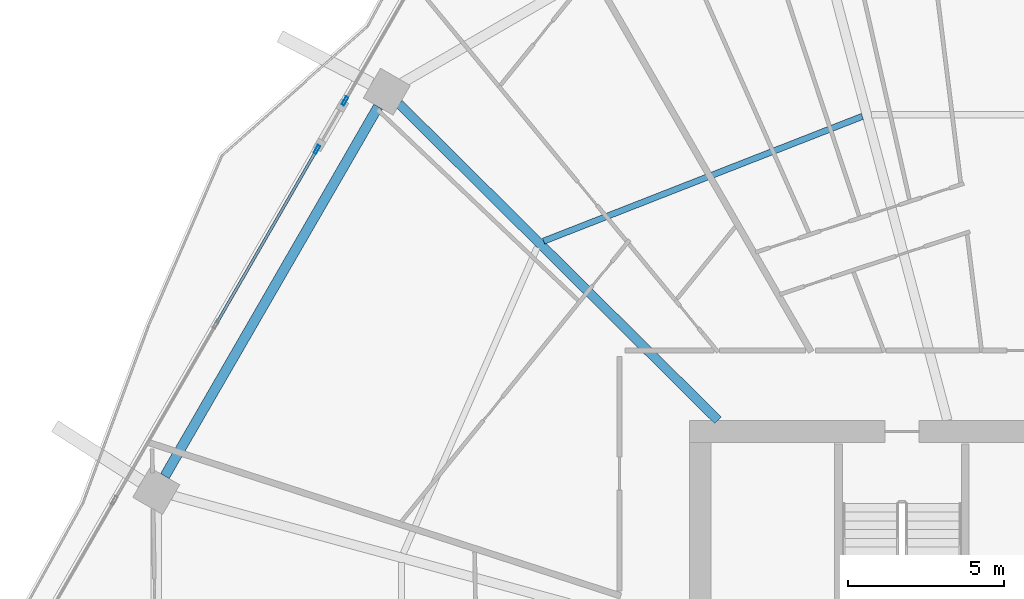
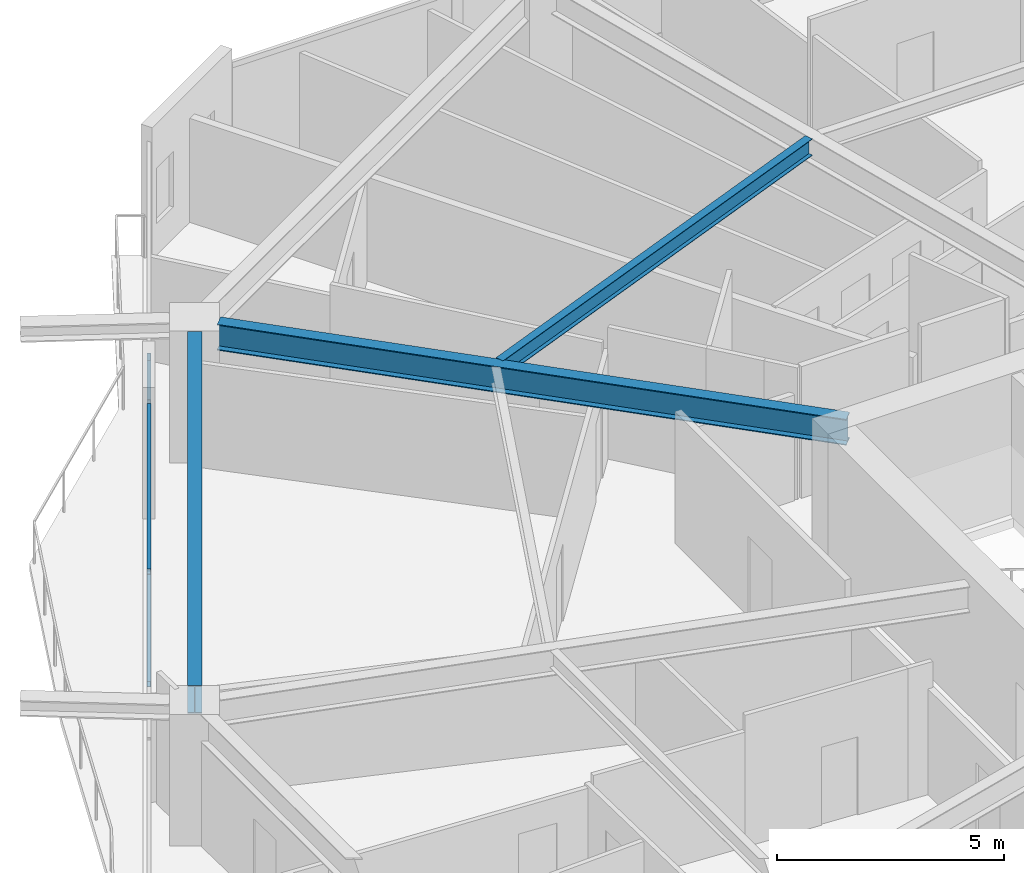
# One storey, part 14 of 33: 4 members, 3 beams, 2 elements without a shape of their own.
"""IFC4 building model written with IfcOpenShell, lengths in metres."""

from ifc_helpers import new_model, si_unit, direction, frame, origin, origin_2d, place, context, subcontext, project, spatial, hollow_rectangle, i_section, extrude, material, material_profile, profile_set, type_object, element, aggregate, save


model = new_model("IFC4")

# Units and contexts
model_context = context("Model", 3, precision=1e-05, world=origin(), true_north=direction((0.0, 1.0)))
body_context = subcontext(model_context, "Body", "Model", "MODEL_VIEW")
ifc_project = project(units=[si_unit("LENGTHUNIT", "METRE"), si_unit("AREAUNIT", "SQUARE_METRE"), si_unit("VOLUMEUNIT", "CUBIC_METRE"), si_unit("PLANEANGLEUNIT", "RADIAN"), si_unit("MASSUNIT", "GRAM", prefix="KILO")], contexts=[model_context])

# Site, building, storey
site_placement = place(None, origin())
site = spatial("IfcSite", under=ifc_project, at=site_placement, CompositionType="ELEMENT")
building_placement = place(site_placement, origin())
building = spatial("IfcBuilding", under=site, at=building_placement, Name="Zuhravey Tower", CompositionType="ELEMENT")
storey_placement = place(building_placement, frame((0.0, 0.0, 96.199951171875)))
storey = spatial("IfcBuildingStorey", under=building, at=storey_placement, Name="L23", CompositionType="ELEMENT", Elevation=96.199951171875)

# Curtain wall, member
ifc_material_1 = material(Name="Thermally broken anodised aluminium", Category="aluminium")
curtain_wall_type = type_object("IfcCurtainWallType", Name="Zone 1-2 Residential Curtain Wall CW3", PredefinedType="NOTDEFINED", material=ifc_material_1)
curtain_wall_1_placement = place(storey_placement, origin())
curtain_wall_1 = element("IfcCurtainWall", 1, at=curtain_wall_1_placement, inside=storey, type_object=curtain_wall_type, Name="L23 CW3 CW-L23-F3-1", PredefinedType="NOTDEFINED")
ifc_material_2 = material(Name="Anodised aluminium", Category="aluminium")
ifc_material_profile_1 = material_profile(ifc_material_2, hollow_rectangle(XDim=0.090087890625, YDim=0.284912109375, WallThickness=0.0048828125, at=origin_2d()), Name="ALU-RHS-90x285x5")
ifc_profile_set_1 = profile_set([ifc_material_profile_1], Name="Anodised aluminium")
member_type_1 = type_object("IfcMemberType", Name="Curtain-Wall Mullion 90x180", PredefinedType="MULLION", material=ifc_profile_set_1)
member_1_placement = place(storey_placement, frame((13.248779296875, 50.5107421875, 0.0), z_axis=(0.0, 0.0, 1.0), x_axis=(-0.866025119566, 0.50000049228, 0.0)))
member_1 = element("IfcMember", 2, at=member_1_placement, type_object=member_type_1, Name="CW3 mullion 4", PredefinedType="MULLION", context=body_context, shape_type="SweptSolid", body=[
    extrude(hollow_rectangle(XDim=0.090087890625, YDim=0.284912109375, WallThickness=0.0048828125, at=origin_2d()), origin(), (0.0, 0.0, 1.0), 3.1220703125),
])

curtain_wall_2_placement = place(storey_placement, origin())
curtain_wall_2 = element("IfcCurtainWall", 3, at=curtain_wall_2_placement, inside=storey, type_object=curtain_wall_type, Name="L23 CW3 CW-L23-F3-2", PredefinedType="NOTDEFINED")
member_2_placement = place(storey_placement, frame((14.143798828125, 52.06103515625, 0.0), z_axis=(0.0, 0.0, 1.0), x_axis=(-0.866024791479, 0.500001060543, 0.0)))
member_2 = element("IfcMember", 4, at=member_2_placement, type_object=member_type_1, Name="CW3 mullion 1", PredefinedType="MULLION", context=body_context, shape_type="SweptSolid", body=[
    extrude(hollow_rectangle(XDim=0.090087890625, YDim=0.284912109375, WallThickness=0.0048828125, at=origin_2d()), origin(), (0.0, 0.0, 1.0), 3.1220703125),
])
aggregate(curtain_wall_2, [member_2])

# Member
ifc_material_profile_2 = material_profile(ifc_material_2, hollow_rectangle(XDim=0.090087890625, YDim=0.14990234375, WallThickness=0.0048828125, at=origin_2d()), Name="ALU-RHS-90x150x5")
ifc_profile_set_2 = profile_set([ifc_material_profile_2], Name="Anodised aluminium")
member_type_2 = type_object("IfcMemberType", Name="Curtain-Wall Transom 90x150", PredefinedType="USERDEFINED", material=ifc_profile_set_2)
member_3_placement = place(storey_placement, frame((10.0439453125, 44.959716796875, 0.045166015625), z_axis=(0.499988079127, 0.866032286194, 0.0), x_axis=(-0.866032286194, 0.499988079127, 0.0)))
member_3 = element("IfcMember", 5, at=member_3_placement, type_object=member_type_2, Name="CW3 transom 3.1", ObjectType="TRANSOM", PredefinedType="USERDEFINED", context=body_context, shape_type="SweptSolid", body=[
    extrude(hollow_rectangle(XDim=0.090087890625, YDim=0.14990234375, WallThickness=0.0048828125, at=origin_2d()), origin(), (0.0, 0.0, 1.0), 6.364990234375),
])

member_4_placement = place(storey_placement, frame((10.0439453125, 44.959716796875, 3.0771484375), z_axis=(0.499988079127, 0.866032286194, 0.0), x_axis=(-0.866032286194, 0.499988079127, 0.0)))
member_4 = element("IfcMember", 6, at=member_4_placement, type_object=member_type_2, Name="CW3 transom 3.2", ObjectType="TRANSOM", PredefinedType="USERDEFINED", context=body_context, shape_type="SweptSolid", body=[
    extrude(hollow_rectangle(XDim=0.090087890625, YDim=0.14990234375, WallThickness=0.0048828125, at=origin_2d()), origin(), (0.0, 0.0, 1.0), 6.364990234375),
])

aggregate(curtain_wall_1, [member_1, member_3, member_4])

# Beams
ifc_material_3 = material(Name="Steel SM355", Category="steel")
ifc_material_profile_3 = material_profile(ifc_material_3, i_section(OverallWidth=0.320068359375, OverallDepth=0.75, WebThickness=0.013916015625, FlangeThickness=0.02490234375, at=origin_2d()), Name="H-750x320x14x25")
ifc_profile_set_3 = profile_set([ifc_material_profile_3], Name="Steel SM355")
beam_type_1 = type_object("IfcBeamType", Name="Perimeter Ring Beam H750x320", PredefinedType="BEAM", material=ifc_profile_set_3)
beam_1_placement = place(storey_placement, frame((15.20458984375, 51.8779296875, 3.175048828125), z_axis=(-0.500008177929, -0.866020682204, 0.0), x_axis=(0.866020682204, -0.500008177929, 0.0)))
element("IfcBeam", 7, at=beam_1_placement, inside=storey, type_object=beam_type_1, Name="L23 PB1 BM-L23-PB-05", PredefinedType="BEAM", context=body_context, shape_type="SweptSolid", body=[
    extrude(i_section(OverallWidth=0.320068359375, OverallDepth=0.75, WebThickness=0.013916015625, FlangeThickness=0.02490234375, at=origin_2d()), origin(), (0.0, 0.0, 1.0), 13.634033203125),
])
ifc_material_profile_4 = material_profile(ifc_material_3, i_section(OverallWidth=0.300048828125, OverallDepth=0.699951171875, WebThickness=0.012939453125, FlangeThickness=0.02392578125, at=origin_2d()), Name="H-700x300x13x24")
ifc_profile_set_4 = profile_set([ifc_material_profile_4], Name="Steel SM355")
beam_type_2 = type_object("IfcBeamType", Name="Radial Primary Girder H700x300", PredefinedType="BEAM", material=ifc_profile_set_4)
beam_2_placement = place(storey_placement, frame((26.068603515625, 41.85302734375, 3.199951171875), z_axis=(-0.709906230344, 0.704296204816, 0.0), x_axis=(-0.704296204816, -0.709906230344, 0.0)))
element("IfcBeam", 8, at=beam_2_placement, inside=storey, type_object=beam_type_2, Name="L23 RG1 BM-L23-RAD-05", PredefinedType="BEAM", context=body_context, shape_type="SweptSolid", body=[
    extrude(i_section(OverallWidth=0.300048828125, OverallDepth=0.699951171875, WebThickness=0.012939453125, FlangeThickness=0.02392578125, at=origin_2d()), origin(), (0.0, 0.0, 1.0), 14.361083984375),
])
ifc_material_profile_5 = material_profile(ifc_material_3, i_section(OverallWidth=0.199951171875, OverallDepth=0.449951171875, WebThickness=0.009033203125, FlangeThickness=0.013916015625, at=origin_2d()), Name="H-450x200x9x14")
ifc_profile_set_5 = profile_set([ifc_material_profile_5], Name="Steel SM355")
beam_type_3 = type_object("IfcBeamType", Name="Secondary Floor Joist H450x200", PredefinedType="JOIST", material=ifc_profile_set_5)
beam_3_placement = place(storey_placement, frame((30.681640625, 51.568359375, 3.324951171875), z_axis=(-0.931216764731, -0.364465824302, 0.0), x_axis=(0.364465824302, -0.931216764731, 0.0)))
element("IfcBeam", 9, at=beam_3_placement, inside=storey, type_object=beam_type_3, Name="L23 SJ1 BM-L23-SJ-04-1", PredefinedType="JOIST", context=body_context, shape_type="SweptSolid", body=[
    extrude(i_section(OverallWidth=0.199951171875, OverallDepth=0.449951171875, WebThickness=0.009033203125, FlangeThickness=0.013916015625, at=origin_2d()), origin(), (0.0, 0.0, 1.0), 10.939453125),
])

save(model, "model.ifc")
